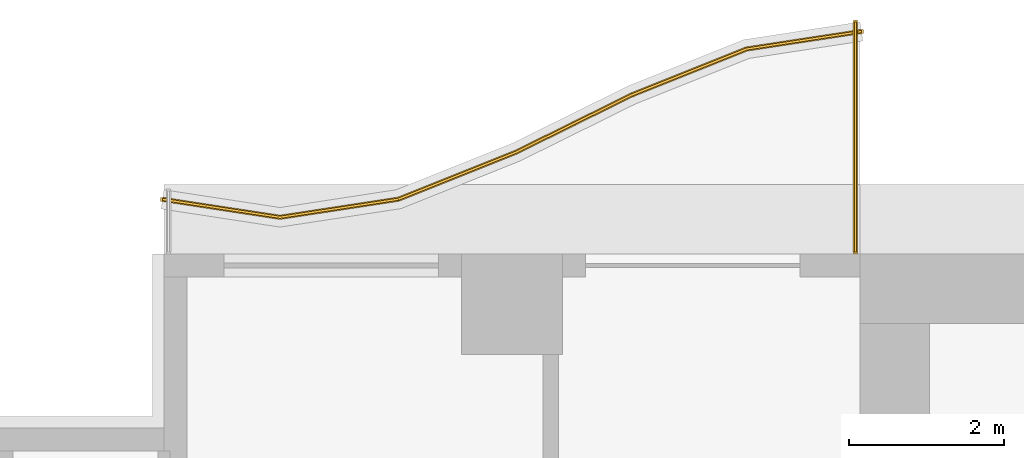
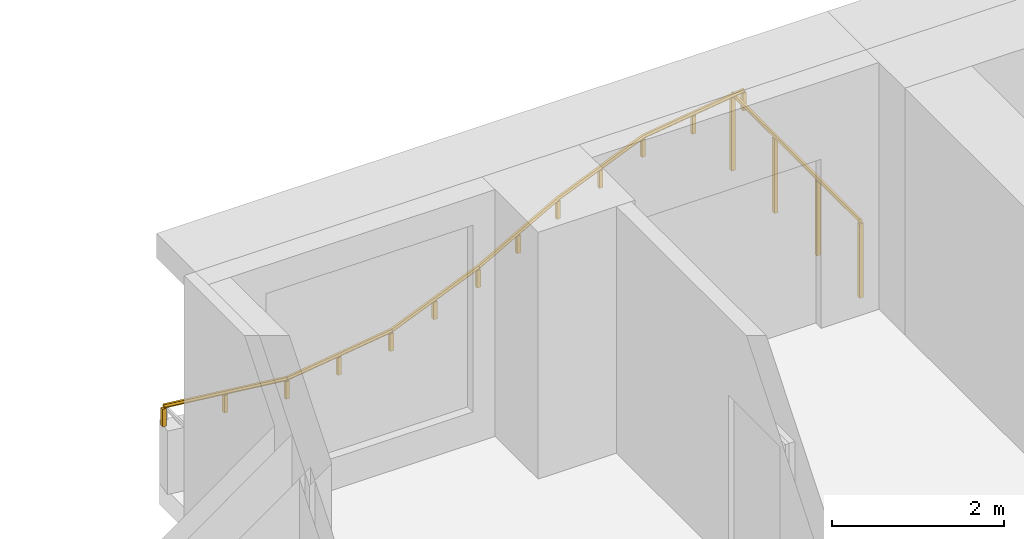
# One storey, part 13 of 14: 2 railings.
"""IFC4 building model written with IfcOpenShell, lengths in metres."""

from ifc_helpers import new_model, si_unit, direction, frame, origin, origin_2d, place, context, subcontext, project, spatial, polyline, rectangle, outline, extrude, material, type_object, element, save


model = new_model("IFC4")

# Units and contexts
model_context = context("Model", 3, precision=1e-05, world=origin(), true_north=direction((0.0, 1.0)))
body_context = subcontext(model_context, "Body", "Model", "MODEL_VIEW")
ifc_project = project(units=[si_unit("LENGTHUNIT", "METRE"), si_unit("AREAUNIT", "SQUARE_METRE"), si_unit("VOLUMEUNIT", "CUBIC_METRE"), si_unit("PLANEANGLEUNIT", "RADIAN"), si_unit("MASSUNIT", "GRAM", prefix="KILO")], contexts=[model_context])

# Site, building, storey
site_placement = place(None, origin())
site = spatial("IfcSite", under=ifc_project, at=site_placement, CompositionType="ELEMENT")
building_placement = place(site_placement, origin())
building = spatial("IfcBuilding", under=site, at=building_placement, Name="Orbiselva Terraces", CompositionType="ELEMENT")
storey_placement = place(building_placement, frame((0.0, 0.0, 84.6)))
storey = spatial("IfcBuildingStorey", under=building, at=storey_placement, Name="L21", CompositionType="ELEMENT", Elevation=84.6)

# Railings
ifc_material_1 = material(Name="Bonded two-ply safety glass balustrade, stainless steel posts", Category="steel")
railing_type_1 = type_object("IfcRailingType", Name="ENV-BALUSTRADE-1200", PredefinedType="BALUSTRADE", material=ifc_material_1)
railing_1_placement = place(storey_placement, frame((-13.481121, 25.376434, 0.9)))
element("IfcRailing", 1, at=railing_1_placement, inside=storey, type_object=railing_type_1, Name="Balcony balustrade L21 NW", PredefinedType="BALUSTRADE", context=body_context, shape_type="SweptSolid", body=[
    extrude(outline(polyline([(0.028868, 0.0), (0.014434, 0.025), (-0.014434, 0.025), (-0.028868, 0.0), (-0.014434, -0.025), (0.014434, -0.025), (0.028868, 0.0)])), frame((0.0, 0.0, 0.275), z_axis=(-0.988528552748, -0.151034103443, 0.0), x_axis=(0.151034103443, -0.988528552748, 0.0)), (0.0, 0.0, 1.0), 1.503038),
    extrude(outline(polyline([(0.028868, 0.0), (0.014434, 0.025), (-0.014434, 0.025), (-0.028868, 0.0), (-0.014434, -0.025), (0.014434, -0.025), (0.028868, 0.0)])), frame((-1.485796, -0.22701, 0.275), z_axis=(-0.928476561272, -0.371391000387, 0.0), x_axis=(0.371391000387, -0.928476561272, 0.0)), (0.0, 0.0, 1.0), 1.596261),
    extrude(outline(polyline([(0.028868, 0.0), (0.014434, 0.025), (-0.014434, 0.025), (-0.028868, 0.0), (-0.014434, -0.025), (0.014434, -0.025), (0.028868, 0.0)])), frame((-2.967887, -0.819847, 0.275), z_axis=(-0.896416672454, -0.443212307306, 0.0), x_axis=(0.443212307306, -0.896416672454, 0.0)), (0.0, 0.0, 1.0), 1.673329),
    extrude(outline(polyline([(0.028868, 0.0), (0.014434, 0.025), (-0.014434, 0.025), (-0.028868, 0.0), (-0.014434, -0.025), (0.014434, -0.025), (0.028868, 0.0)])), frame((-4.467887, -1.561487, 0.275), z_axis=(-0.92847681744, -0.371390359967, 0.0), x_axis=(0.371390359967, -0.92847681744, 0.0)), (0.0, 0.0, 1.0), 1.634838),
    extrude(outline(polyline([(0.028868, 0.0), (0.014434, 0.025), (-0.014434, 0.025), (-0.028868, 0.0), (-0.014434, -0.025), (0.014434, -0.025), (0.028868, 0.0)])), frame((-5.985796, -2.16865, 0.275), z_axis=(-0.988528536275, -0.151034211256, 0.0), x_axis=(0.151034211256, -0.988528536275, 0.0)), (0.0, 0.0, 1.0), 1.550874),
    extrude(outline(polyline([(0.028868, 0.0), (0.014434, 0.025), (-0.014434, 0.025), (-0.028868, 0.0), (-0.014434, -0.025), (0.014434, -0.025), (0.028868, 0.0)])), frame((-7.518879, -2.402885, 0.275), z_axis=(-0.988528518286, 0.151034328999, 0.0), x_axis=(-0.151034328999, -0.988528518286, 0.0)), (0.0, 0.0, 1.0), 1.536505),
    extrude(rectangle(XDim=0.05, YDim=0.05, at=origin_2d()), origin(), (0.0, 0.0, 1.0), 0.25),
    extrude(rectangle(XDim=0.05, YDim=0.05, at=origin_2d()), frame((-0.742898, -0.113505, 0.0)), (0.0, 0.0, 1.0), 0.25),
    extrude(rectangle(XDim=0.05, YDim=0.05, at=origin_2d()), frame((-1.485796, -0.22701, 0.0)), (0.0, 0.0, 1.0), 0.25),
    extrude(rectangle(XDim=0.05, YDim=0.05, at=origin_2d()), frame((-2.226842, -0.523428, 0.0)), (0.0, 0.0, 1.0), 0.25),
    extrude(rectangle(XDim=0.05, YDim=0.05, at=origin_2d()), frame((-2.967887, -0.819847, 0.0)), (0.0, 0.0, 1.0), 0.25),
    extrude(rectangle(XDim=0.05, YDim=0.05, at=origin_2d()), frame((-3.717887, -1.190667, 0.0)), (0.0, 0.0, 1.0), 0.25),
    extrude(rectangle(XDim=0.05, YDim=0.05, at=origin_2d()), frame((-4.467887, -1.561487, 0.0)), (0.0, 0.0, 1.0), 0.25),
    extrude(rectangle(XDim=0.05, YDim=0.05, at=origin_2d()), frame((-5.226841, -1.865068, 0.0)), (0.0, 0.0, 1.0), 0.25),
    extrude(rectangle(XDim=0.05, YDim=0.05, at=origin_2d()), frame((-5.985796, -2.16865, 0.0)), (0.0, 0.0, 1.0), 0.25),
    extrude(rectangle(XDim=0.05, YDim=0.05, at=origin_2d()), frame((-6.752337, -2.285768, 0.0)), (0.0, 0.0, 1.0), 0.25),
    extrude(rectangle(XDim=0.05, YDim=0.05, at=origin_2d()), frame((-7.518879, -2.402885, 0.0)), (0.0, 0.0, 1.0), 0.25),
    extrude(rectangle(XDim=0.05, YDim=0.05, at=origin_2d()), frame((-8.278318, -2.286852, 0.0)), (0.0, 0.0, 1.0), 0.25),
    extrude(rectangle(XDim=0.05, YDim=0.05, at=origin_2d()), frame((-9.037758, -2.17082, 0.0)), (0.0, 0.0, 1.0), 0.25),
])
ifc_material_2 = material(Name="Stainless steel rail and posts", Category="steel")
railing_type_2 = type_object("IfcRailingType", Name="ENV-GUARD-1105", PredefinedType="BALUSTRADE", material=ifc_material_2)
railing_2_placement = place(storey_placement, frame((-13.56, 25.499621, 0.0)))
element("IfcRailing", 2, at=railing_2_placement, inside=storey, type_object=railing_type_2, Name="Balcony end guard L21 NW", PredefinedType="BALUSTRADE", context=body_context, shape_type="SweptSolid", body=[
    extrude(outline(polyline([(0.028868, 0.0), (0.014434, 0.025), (-0.014434, 0.025), (-0.028868, 0.0), (-0.014434, -0.025), (0.014434, -0.025), (0.028868, 0.0)])), frame((0.0, 0.0, 1.08), z_axis=(0.0, -1.0, 0.0), x_axis=(1.0, 0.0, 0.0)), (0.0, 0.0, 1.0), 2.974621),
    extrude(rectangle(XDim=0.05, YDim=0.05, at=origin_2d()), origin(), (0.0, 0.0, 1.0), 1.055),
    extrude(rectangle(XDim=0.05, YDim=0.05, at=origin_2d()), frame((0.0, -0.99154, 0.0)), (0.0, 0.0, 1.0), 1.055),
    extrude(rectangle(XDim=0.05, YDim=0.05, at=origin_2d()), frame((0.0, -1.983081, 0.0)), (0.0, 0.0, 1.0), 1.055),
    extrude(rectangle(XDim=0.05, YDim=0.05, at=origin_2d()), frame((0.0, -2.974621, 0.0)), (0.0, 0.0, 1.0), 1.055),
])

save(model, "model.ifc")
